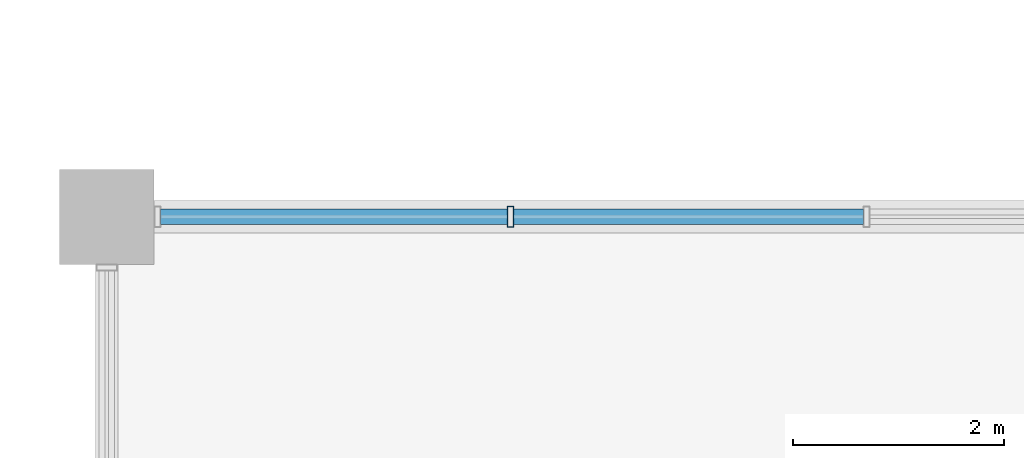
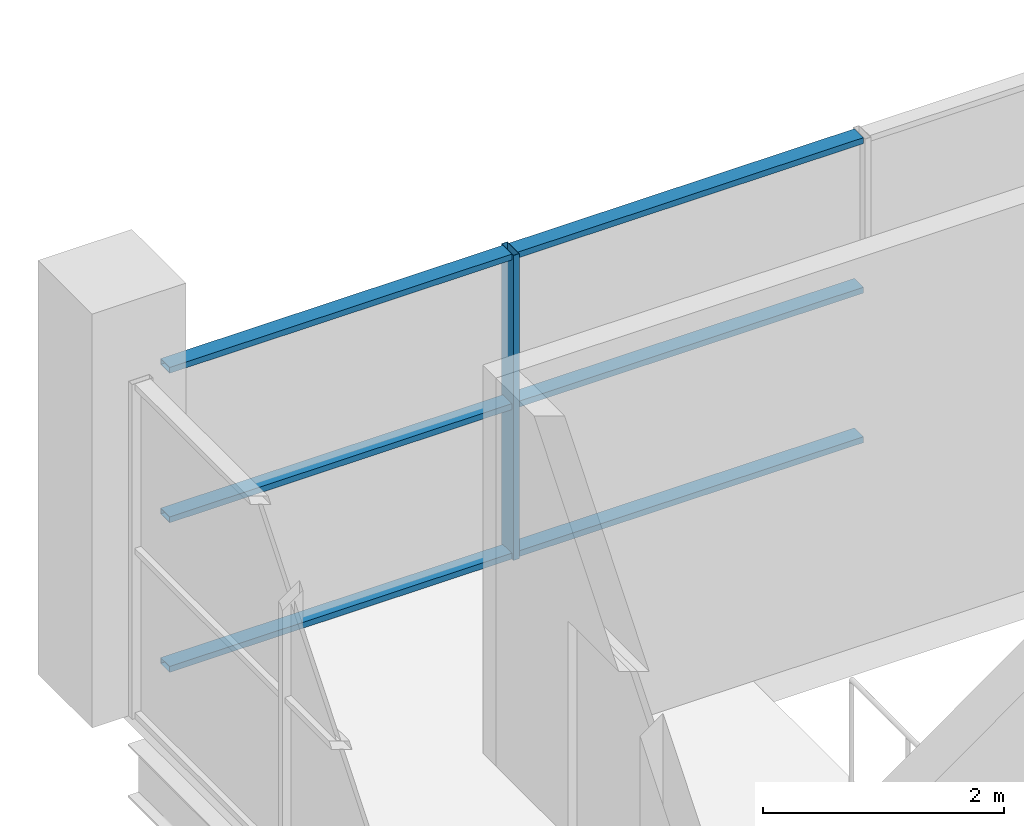
# One storey, part 53 of 161: 7 members, 1 element without a shape of its own.
"""IFC4 building model written with IfcOpenShell, lengths in metres."""

from ifc_helpers import new_model, si_unit, direction, frame, origin, origin_2d, place, context, subcontext, project, spatial, hollow_rectangle, extrude, material, material_profile, profile_set, type_object, element, aggregate, save


model = new_model("IFC4")

# Units and contexts
model_context = context("Model", 3, precision=1e-05, world=origin(), true_north=direction((0.0, 1.0)))
body_context = subcontext(model_context, "Body", "Model", "MODEL_VIEW")
ifc_project = project(units=[si_unit("LENGTHUNIT", "METRE"), si_unit("AREAUNIT", "SQUARE_METRE"), si_unit("VOLUMEUNIT", "CUBIC_METRE"), si_unit("PLANEANGLEUNIT", "RADIAN"), si_unit("MASSUNIT", "GRAM", prefix="KILO"), si_unit("THERMODYNAMICTEMPERATUREUNIT", "KELVIN")], contexts=[model_context])

# Site, building, storey
site_placement = place(None, origin())
site = spatial("IfcSite", under=ifc_project, at=site_placement, CompositionType="ELEMENT")
building_placement = place(site_placement, origin())
building = spatial("IfcBuilding", under=site, at=building_placement, Name="Nduvali Passage Aquatics Centre", CompositionType="ELEMENT")
storey_placement = place(building_placement, frame((0.0, 0.0, 4.800048828125)))
storey = spatial("IfcBuildingStorey", under=building, at=storey_placement, Name="L01", CompositionType="ELEMENT", Elevation=4.800048828125)

# Curtain wall, members
ifc_material = material(Name="Aluminium EN AW-6063 T6", Category="aluminium")
curtain_wall_type = type_object("IfcCurtainWallType", Name="ENV-CW-HALL", PredefinedType="NOTDEFINED", material=ifc_material)
curtain_wall_placement = place(storey_placement, origin())
curtain_wall = element("IfcCurtainWall", 1, at=curtain_wall_placement, inside=storey, type_object=curtain_wall_type, Name="L01 North Pool Hall Corner CW 054", PredefinedType="NOTDEFINED")
ifc_material_profile_1 = material_profile(ifc_material, hollow_rectangle(XDim=0.06005859375, YDim=0.199951171875, WallThickness=0.00390625, at=origin_2d()), Name="ALU MULLION 60x200x4")
ifc_profile_set_1 = profile_set([ifc_material_profile_1], Name="Aluminium EN AW-6063 T6")
member_type_1 = type_object("IfcMemberType", Name="ENV-MEM-MUL80", PredefinedType="MULLION", material=ifc_profile_set_1)
member_1_placement = place(storey_placement, frame((29.02490234375, 92.39990234375, 0.0), z_axis=(0.0, 0.0, 1.0), x_axis=(1.0, 0.0, 0.0)))
member_1 = element("IfcMember", 2, at=member_1_placement, type_object=member_type_1, Name="North Pool Hall Corner CW Mullion 2", PredefinedType="MULLION", context=body_context, shape_type="SweptSolid", body=[
    extrude(hollow_rectangle(XDim=0.06005859375, YDim=0.199951171875, WallThickness=0.00390625, at=origin_2d()), origin(), (0.0, 0.0, 1.0), 3.09521484375),
])
ifc_material_profile_2 = material_profile(ifc_material, hollow_rectangle(XDim=0.14990234375, YDim=0.06005859375, WallThickness=0.00390625, at=origin_2d()), Name="ALU TRANSOM 150x60x4")
ifc_profile_set_2 = profile_set([ifc_material_profile_2], Name="Aluminium EN AW-6063 T6")
member_type_2 = type_object("IfcMemberType", Name="ENV-MEM-TRN80", PredefinedType="USERDEFINED", material=ifc_profile_set_2)
member_2_placement = place(storey_placement, frame((25.7099609375, 92.39990234375, 0.030029296875), z_axis=(1.0, 0.0, 0.0), x_axis=(0.0, 1.0, 0.0)))
member_2 = element("IfcMember", 3, at=member_2_placement, type_object=member_type_2, Name="North Pool Hall Corner CW Transom B1-R0", ObjectType="TRANSOM", PredefinedType="USERDEFINED", context=body_context, shape_type="SweptSolid", body=[
    extrude(hollow_rectangle(XDim=0.14990234375, YDim=0.06005859375, WallThickness=0.00390625, at=origin_2d()), origin(), (0.0, 0.0, 1.0), 3.28515625),
])
member_3_placement = place(storey_placement, frame((25.7099609375, 92.39990234375, 1.547607421875), z_axis=(1.0, 0.0, 0.0), x_axis=(0.0, 1.0, 0.0)))
member_3 = element("IfcMember", 4, at=member_3_placement, type_object=member_type_2, Name="North Pool Hall Corner CW Transom B1-R1", ObjectType="TRANSOM", PredefinedType="USERDEFINED", context=body_context, shape_type="SweptSolid", body=[
    extrude(hollow_rectangle(XDim=0.14990234375, YDim=0.06005859375, WallThickness=0.00390625, at=origin_2d()), origin(), (0.0, 0.0, 1.0), 3.28515625),
])
member_4_placement = place(storey_placement, frame((25.7099609375, 92.39990234375, 3.065185546875), z_axis=(1.0, 0.0, 0.0), x_axis=(0.0, 1.0, 0.0)))
member_4 = element("IfcMember", 5, at=member_4_placement, type_object=member_type_2, Name="North Pool Hall Corner CW Transom B1-R2", ObjectType="TRANSOM", PredefinedType="USERDEFINED", context=body_context, shape_type="SweptSolid", body=[
    extrude(hollow_rectangle(XDim=0.14990234375, YDim=0.06005859375, WallThickness=0.00390625, at=origin_2d()), origin(), (0.0, 0.0, 1.0), 3.28515625),
])
member_5_placement = place(storey_placement, frame((29.054931640625, 92.39990234375, 0.030029296875), z_axis=(1.0, 0.0, 0.0), x_axis=(0.0, 1.0, 0.0)))
member_5 = element("IfcMember", 6, at=member_5_placement, type_object=member_type_2, Name="North Pool Hall Corner CW Transom B2-R0", ObjectType="TRANSOM", PredefinedType="USERDEFINED", context=body_context, shape_type="SweptSolid", body=[
    extrude(hollow_rectangle(XDim=0.14990234375, YDim=0.06005859375, WallThickness=0.00390625, at=origin_2d()), origin(), (0.0, 0.0, 1.0), 3.315185546875),
])
member_6_placement = place(storey_placement, frame((29.054931640625, 92.39990234375, 1.547607421875), z_axis=(1.0, 0.0, 0.0), x_axis=(0.0, 1.0, 0.0)))
member_6 = element("IfcMember", 7, at=member_6_placement, type_object=member_type_2, Name="North Pool Hall Corner CW Transom B2-R1", ObjectType="TRANSOM", PredefinedType="USERDEFINED", context=body_context, shape_type="SweptSolid", body=[
    extrude(hollow_rectangle(XDim=0.14990234375, YDim=0.06005859375, WallThickness=0.00390625, at=origin_2d()), origin(), (0.0, 0.0, 1.0), 3.315185546875),
])
member_7_placement = place(storey_placement, frame((29.054931640625, 92.39990234375, 3.065185546875), z_axis=(1.0, 0.0, 0.0), x_axis=(0.0, 1.0, 0.0)))
member_7 = element("IfcMember", 8, at=member_7_placement, type_object=member_type_2, Name="North Pool Hall Corner CW Transom B2-R2", ObjectType="TRANSOM", PredefinedType="USERDEFINED", context=body_context, shape_type="SweptSolid", body=[
    extrude(hollow_rectangle(XDim=0.14990234375, YDim=0.06005859375, WallThickness=0.00390625, at=origin_2d()), origin(), (0.0, 0.0, 1.0), 3.315185546875),
])
aggregate(curtain_wall, [member_1, member_2, member_3, member_4, member_5, member_6, member_7])

save(model, "model.ifc")
